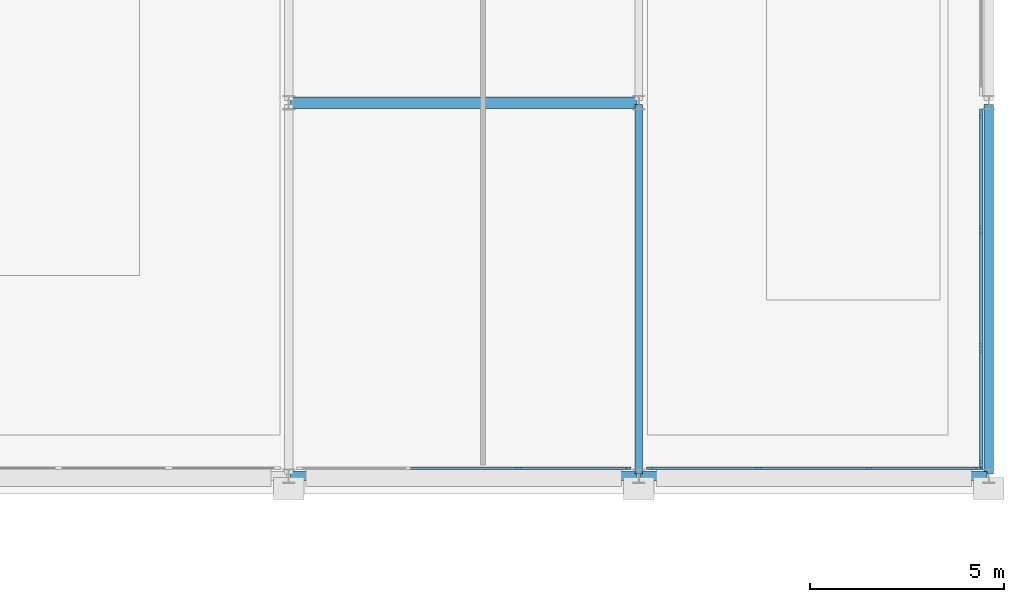
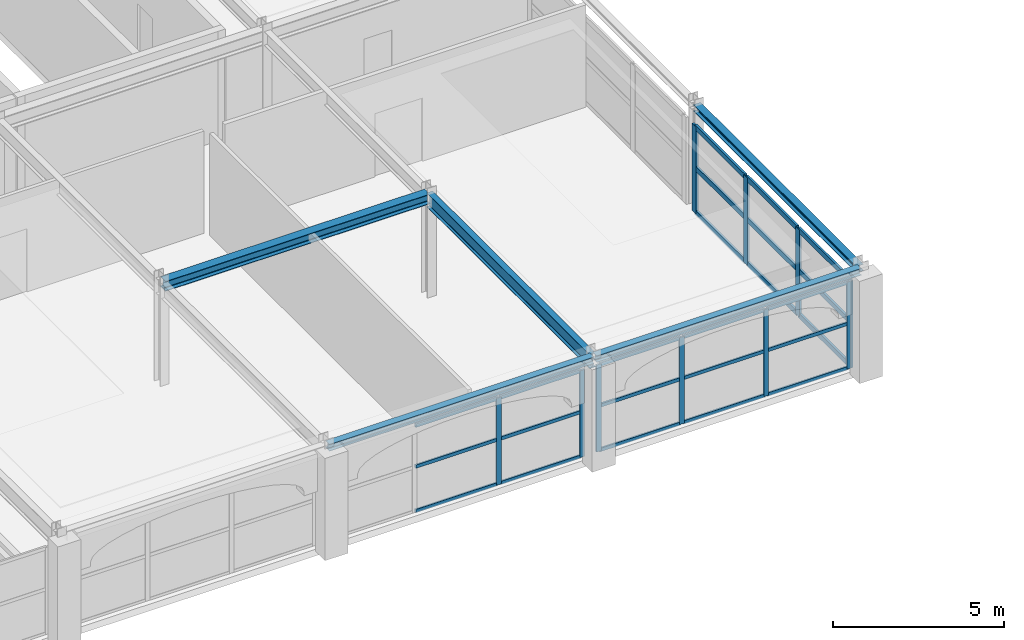
# One storey, part 13 of 25: 34 members, 5 beams, 3 elements without a shape of their own.
"""IFC4 building model written with IfcOpenShell, lengths in metres."""

from ifc_helpers import new_model, si_unit, direction, frame, origin, origin_2d, place, context, subcontext, project, spatial, rectangle, i_section, extrude, material, layer, layer_set, material_profile, profile_set, type_object, element, aggregate, save


model = new_model("IFC4")

# Units and contexts
model_context = context("Model", 3, precision=1e-05, world=origin(), true_north=direction((0.0, 1.0)))
body_context = subcontext(model_context, "Body", "Model", "MODEL_VIEW")
ifc_project = project(units=[si_unit("LENGTHUNIT", "METRE"), si_unit("AREAUNIT", "SQUARE_METRE"), si_unit("VOLUMEUNIT", "CUBIC_METRE"), si_unit("PLANEANGLEUNIT", "RADIAN"), si_unit("MASSUNIT", "GRAM", prefix="KILO")], contexts=[model_context])

# Site, building, storey
site_placement = place(None, origin())
site = spatial("IfcSite", under=ifc_project, at=site_placement, CompositionType="ELEMENT")
building_placement = place(site_placement, origin())
building = spatial("IfcBuilding", under=site, at=building_placement, Name="Myrtia Square Station", CompositionType="ELEMENT")
storey_placement = place(building_placement, frame((0.0, 0.0, 18.89990234375)))
storey = spatial("IfcBuildingStorey", under=building, at=storey_placement, Name="L04", CompositionType="ELEMENT", Elevation=18.89990234375)

# Beams
ifc_material_1 = material(Name="Steel S355", Category="steel")
ifc_material_profile_1 = material_profile(ifc_material_1, i_section(OverallWidth=0.300048828125, OverallDepth=0.35009765625, WebThickness=0.010009765625, FlangeThickness=0.017578125, FilletRadius=0.027099609375, at=origin_2d()), Name="HEA 360")
ifc_profile_set_1 = profile_set([ifc_material_profile_1], Name="Steel S355")
beam_type_1 = type_object("IfcBeamType", Name="BM-HEA360", PredefinedType="BEAM", material=ifc_profile_set_1)
beam_1_placement = place(storey_placement, frame((171.050048828125, 96.0, 3.47998046875), z_axis=(1.0, 0.0, 0.0), x_axis=(0.0, 1.0, 0.0)))
element("IfcBeam", 1, at=beam_1_placement, inside=storey, type_object=beam_type_1, Name="Structural girder BMX-L04-0879", PredefinedType="BEAM", context=body_context, shape_type="SweptSolid", body=[
    extrude(i_section(OverallWidth=0.300048828125, OverallDepth=0.35009765625, WebThickness=0.010009765625, FlangeThickness=0.017578125, FilletRadius=0.027099609375, at=origin_2d()), origin(), (0.0, 0.0, 1.0), 8.89990234375),
])
ifc_material_profile_2 = material_profile(ifc_material_1, i_section(OverallWidth=0.199951171875, OverallDepth=0.5, WebThickness=0.01025390625, FlangeThickness=0.01611328125, FilletRadius=0.02099609375, at=origin_2d()), Name="IPE 500")
ifc_profile_set_2 = profile_set([ifc_material_profile_2], Name="Steel S355")
beam_type_2 = type_object("IfcBeamType", Name="BM-IPE500", PredefinedType="BEAM", material=ifc_profile_set_2)
beam_2_placement = place(storey_placement, frame((180.0, 86.449951171875, 3.405029296875), z_axis=(0.0, 1.0, 0.0), x_axis=(-1.0, 0.0, 0.0)))
element("IfcBeam", 2, at=beam_2_placement, inside=storey, type_object=beam_type_2, Name="Structural girder BMY-L04-0917", PredefinedType="BEAM", context=body_context, shape_type="SweptSolid", body=[
    extrude(i_section(OverallWidth=0.199951171875, OverallDepth=0.5, WebThickness=0.01025390625, FlangeThickness=0.01611328125, FilletRadius=0.02099609375, at=origin_2d()), origin(), (0.0, 0.0, 1.0), 9.5),
])

# Curtain wall, members
ifc_material_2 = material(Name="Dark bronze anodised aluminium", Category="aluminium")
ifc_layer_1 = layer(ifc_material_2, 0.159912109375, Name="Dark bronze anodised aluminium")
ifc_layer_set_1 = layer_set([ifc_layer_1], Name="Dark bronze anodised aluminium")
curtain_wall_type_1 = type_object("IfcCurtainWallType", Name="CW-TYPE-43-850x310", PredefinedType="USERDEFINED", material=ifc_layer_set_1)
curtain_wall_1_placement = place(storey_placement, origin())
curtain_wall_1 = element("IfcCurtainWall", 3, at=curtain_wall_1_placement, inside=storey, type_object=curtain_wall_type_1, Name="Concourse curtain wall CW-L04-145", ObjectType="CONCOURSE CURTAIN WALL", PredefinedType="USERDEFINED")
ifc_material_profile_3 = material_profile(ifc_material_2, rectangle(XDim=0.06005859375, YDim=0.159912109375, at=origin_2d()), Name="ALU-M 60x160")
ifc_profile_set_3 = profile_set([ifc_material_profile_3], Name="Dark bronze anodised aluminium")
member_type_1 = type_object("IfcMemberType", Name="CWM-60x160", PredefinedType="MULLION", material=ifc_profile_set_3)
member_1_placement = place(storey_placement, frame((176.916748046875, 86.60009765625, 0.0), z_axis=(0.0, 0.0, 1.0), x_axis=(0.0, 1.0, 0.0)))
member_1 = element("IfcMember", 4, at=member_1_placement, type_object=member_type_1, Name="CW-145 mullion 3", PredefinedType="MULLION", context=body_context, shape_type="SweptSolid", body=[
    extrude(rectangle(XDim=0.06005859375, YDim=0.159912109375, at=origin_2d()), origin(), (0.0, 0.0, 1.0), 3.10009765625),
])
member_2_placement = place(storey_placement, frame((179.719970703125, 86.60009765625, 0.0), z_axis=(0.0, 0.0, 1.0), x_axis=(0.0, 1.0, 0.0)))
member_2 = element("IfcMember", 5, at=member_2_placement, type_object=member_type_1, Name="CW-145 mullion 4", PredefinedType="MULLION", context=body_context, shape_type="SweptSolid", body=[
    extrude(rectangle(XDim=0.06005859375, YDim=0.159912109375, at=origin_2d()), origin(), (0.0, 0.0, 1.0), 3.10009765625),
])

curtain_wall_2_placement = place(storey_placement, origin())
curtain_wall_2 = element("IfcCurtainWall", 6, at=curtain_wall_2_placement, inside=storey, type_object=curtain_wall_type_1, Name="Concourse curtain wall CW-L04-150", ObjectType="CONCOURSE CURTAIN WALL", PredefinedType="USERDEFINED")
member_3_placement = place(storey_placement, frame((180.280029296875, 86.60009765625, 0.0), z_axis=(0.0, 0.0, 1.0), x_axis=(0.0, 1.0, 0.0)))
member_3 = element("IfcMember", 7, at=member_3_placement, type_object=member_type_1, Name="CW-150 mullion 1", PredefinedType="MULLION", context=body_context, shape_type="SweptSolid", body=[
    extrude(rectangle(XDim=0.06005859375, YDim=0.159912109375, at=origin_2d()), origin(), (0.0, 0.0, 1.0), 3.10009765625),
])
member_4_placement = place(storey_placement, frame((183.083251953125, 86.60009765625, 0.0), z_axis=(0.0, 0.0, 1.0), x_axis=(0.0, 1.0, 0.0)))
member_4 = element("IfcMember", 8, at=member_4_placement, type_object=member_type_1, Name="CW-150 mullion 2", PredefinedType="MULLION", context=body_context, shape_type="SweptSolid", body=[
    extrude(rectangle(XDim=0.06005859375, YDim=0.159912109375, at=origin_2d()), origin(), (0.0, 0.0, 1.0), 3.10009765625),
])
member_5_placement = place(storey_placement, frame((185.916748046875, 86.60009765625, 0.0), z_axis=(0.0, 0.0, 1.0), x_axis=(0.0, 1.0, 0.0)))
member_5 = element("IfcMember", 9, at=member_5_placement, type_object=member_type_1, Name="CW-150 mullion 3", PredefinedType="MULLION", context=body_context, shape_type="SweptSolid", body=[
    extrude(rectangle(XDim=0.06005859375, YDim=0.159912109375, at=origin_2d()), origin(), (0.0, 0.0, 1.0), 3.10009765625),
])
member_6_placement = place(storey_placement, frame((188.719970703125, 86.60009765625, 0.0), z_axis=(0.0, 0.0, 1.0), x_axis=(0.0, 1.0, 0.0)))
member_6 = element("IfcMember", 10, at=member_6_placement, type_object=member_type_1, Name="CW-150 mullion 4", PredefinedType="MULLION", context=body_context, shape_type="SweptSolid", body=[
    extrude(rectangle(XDim=0.06005859375, YDim=0.159912109375, at=origin_2d()), origin(), (0.0, 0.0, 1.0), 3.10009765625),
])

ifc_layer_2 = layer(ifc_material_2, 0.159912109375, Name="Dark bronze anodised aluminium")
ifc_layer_set_2 = layer_set([ifc_layer_2], Name="Dark bronze anodised aluminium")
curtain_wall_type_2 = type_object("IfcCurtainWallType", Name="CW-TYPE-46-910x310", PredefinedType="USERDEFINED", material=ifc_layer_set_2)
curtain_wall_3_placement = place(storey_placement, origin())
curtain_wall_3 = element("IfcCurtainWall", 11, at=curtain_wall_3_placement, inside=storey, type_object=curtain_wall_type_2, Name="Concourse curtain wall CW-L04-151", ObjectType="CONCOURSE CURTAIN WALL", PredefinedType="USERDEFINED")
ifc_material_profile_4 = material_profile(ifc_material_2, rectangle(XDim=0.074951171875, YDim=0.239990234375, at=origin_2d()), Name="ALU-M 75x240")
ifc_profile_set_4 = profile_set([ifc_material_profile_4], Name="Dark bronze anodised aluminium")
member_type_2 = type_object("IfcMemberType", Name="CWM-75x240", PredefinedType="MULLION", material=ifc_profile_set_4)
member_7_placement = place(storey_placement, frame((188.800048828125, 86.6875, 0.0), z_axis=(0.0, 0.0, 1.0), x_axis=(-1.0, 0.0, 0.0)))
member_7 = element("IfcMember", 12, at=member_7_placement, type_object=member_type_2, Name="CW-151 mullion 1", PredefinedType="MULLION", context=body_context, shape_type="SweptSolid", body=[
    extrude(rectangle(XDim=0.074951171875, YDim=0.239990234375, at=origin_2d()), origin(), (0.0, 0.0, 1.0), 3.10009765625),
])
member_8_placement = place(storey_placement, frame((188.800048828125, 89.683349609375, 0.0), z_axis=(0.0, 0.0, 1.0), x_axis=(-1.0, 0.0, 0.0)))
member_8 = element("IfcMember", 13, at=member_8_placement, type_object=member_type_2, Name="CW-151 mullion 2", PredefinedType="MULLION", context=body_context, shape_type="SweptSolid", body=[
    extrude(rectangle(XDim=0.074951171875, YDim=0.239990234375, at=origin_2d()), origin(), (0.0, 0.0, 1.0), 3.10009765625),
])
member_9_placement = place(storey_placement, frame((188.800048828125, 92.716552734375, 0.0), z_axis=(0.0, 0.0, 1.0), x_axis=(-1.0, 0.0, 0.0)))
member_9 = element("IfcMember", 14, at=member_9_placement, type_object=member_type_2, Name="CW-151 mullion 3", PredefinedType="MULLION", context=body_context, shape_type="SweptSolid", body=[
    extrude(rectangle(XDim=0.074951171875, YDim=0.239990234375, at=origin_2d()), origin(), (0.0, 0.0, 1.0), 3.10009765625),
])
member_10_placement = place(storey_placement, frame((188.800048828125, 95.71240234375, 0.0), z_axis=(0.0, 0.0, 1.0), x_axis=(-1.0, 0.0, 0.0)))
member_10 = element("IfcMember", 15, at=member_10_placement, type_object=member_type_2, Name="CW-151 mullion 4", PredefinedType="MULLION", context=body_context, shape_type="SweptSolid", body=[
    extrude(rectangle(XDim=0.074951171875, YDim=0.239990234375, at=origin_2d()), origin(), (0.0, 0.0, 1.0), 3.10009765625),
])

# Member
ifc_material_profile_5 = material_profile(ifc_material_2, rectangle(XDim=0.06005859375, YDim=0.1201171875, at=origin_2d()), Name="ALU-T 60x120")
ifc_profile_set_5 = profile_set([ifc_material_profile_5], Name="Dark bronze anodised aluminium")
member_type_3 = type_object("IfcMemberType", Name="CWT-60x120", PredefinedType="USERDEFINED", material=ifc_profile_set_5)
member_11_placement = place(storey_placement, frame((174.11328125, 86.60009765625, 0.030029296875), z_axis=(1.0, 0.0, 0.0), x_axis=(0.0, 1.0, 0.0)))
member_11 = element("IfcMember", 16, at=member_11_placement, type_object=member_type_3, Name="CW-145 transom 2.1", ObjectType="TRANSOM", PredefinedType="USERDEFINED", context=body_context, shape_type="SweptSolid", body=[
    extrude(rectangle(XDim=0.06005859375, YDim=0.1201171875, at=origin_2d()), origin(), (0.0, 0.0, 1.0), 2.7734375),
])

member_12_placement = place(storey_placement, frame((174.11328125, 86.60009765625, 1.612060546875), z_axis=(1.0, 0.0, 0.0), x_axis=(0.0, 1.0, 0.0)))
member_12 = element("IfcMember", 17, at=member_12_placement, type_object=member_type_3, Name="CW-145 transom 2.2", ObjectType="TRANSOM", PredefinedType="USERDEFINED", context=body_context, shape_type="SweptSolid", body=[
    extrude(rectangle(XDim=0.06005859375, YDim=0.1201171875, at=origin_2d()), origin(), (0.0, 0.0, 1.0), 2.7734375),
])

member_13_placement = place(storey_placement, frame((174.11328125, 86.60009765625, 3.070068359375), z_axis=(1.0, 0.0, 0.0), x_axis=(0.0, 1.0, 0.0)))
member_13 = element("IfcMember", 18, at=member_13_placement, type_object=member_type_3, Name="CW-145 transom 2.3", ObjectType="TRANSOM", PredefinedType="USERDEFINED", context=body_context, shape_type="SweptSolid", body=[
    extrude(rectangle(XDim=0.06005859375, YDim=0.1201171875, at=origin_2d()), origin(), (0.0, 0.0, 1.0), 2.7734375),
])

member_14_placement = place(storey_placement, frame((176.94677734375, 86.60009765625, 0.030029296875), z_axis=(1.0, 0.0, 0.0), x_axis=(0.0, 1.0, 0.0)))
member_14 = element("IfcMember", 19, at=member_14_placement, type_object=member_type_3, Name="CW-145 transom 3.1", ObjectType="TRANSOM", PredefinedType="USERDEFINED", context=body_context, shape_type="SweptSolid", body=[
    extrude(rectangle(XDim=0.06005859375, YDim=0.1201171875, at=origin_2d()), origin(), (0.0, 0.0, 1.0), 2.7431640625),
])

member_15_placement = place(storey_placement, frame((176.94677734375, 86.60009765625, 1.612060546875), z_axis=(1.0, 0.0, 0.0), x_axis=(0.0, 1.0, 0.0)))
member_15 = element("IfcMember", 20, at=member_15_placement, type_object=member_type_3, Name="CW-145 transom 3.2", ObjectType="TRANSOM", PredefinedType="USERDEFINED", context=body_context, shape_type="SweptSolid", body=[
    extrude(rectangle(XDim=0.06005859375, YDim=0.1201171875, at=origin_2d()), origin(), (0.0, 0.0, 1.0), 2.7431640625),
])

member_16_placement = place(storey_placement, frame((176.94677734375, 86.60009765625, 3.070068359375), z_axis=(1.0, 0.0, 0.0), x_axis=(0.0, 1.0, 0.0)))
member_16 = element("IfcMember", 21, at=member_16_placement, type_object=member_type_3, Name="CW-145 transom 3.3", ObjectType="TRANSOM", PredefinedType="USERDEFINED", context=body_context, shape_type="SweptSolid", body=[
    extrude(rectangle(XDim=0.06005859375, YDim=0.1201171875, at=origin_2d()), origin(), (0.0, 0.0, 1.0), 2.7431640625),
])

aggregate(curtain_wall_1, [member_1, member_2, member_11, member_12, member_13, member_14, member_15, member_16])

member_17_placement = place(storey_placement, frame((180.31005859375, 86.60009765625, 0.030029296875), z_axis=(1.0, 0.0, 0.0), x_axis=(0.0, 1.0, 0.0)))
member_17 = element("IfcMember", 22, at=member_17_placement, type_object=member_type_3, Name="CW-150 transom 1.1", ObjectType="TRANSOM", PredefinedType="USERDEFINED", context=body_context, shape_type="SweptSolid", body=[
    extrude(rectangle(XDim=0.06005859375, YDim=0.1201171875, at=origin_2d()), origin(), (0.0, 0.0, 1.0), 2.7431640625),
])

member_18_placement = place(storey_placement, frame((180.31005859375, 86.60009765625, 1.612060546875), z_axis=(1.0, 0.0, 0.0), x_axis=(0.0, 1.0, 0.0)))
member_18 = element("IfcMember", 23, at=member_18_placement, type_object=member_type_3, Name="CW-150 transom 1.2", ObjectType="TRANSOM", PredefinedType="USERDEFINED", context=body_context, shape_type="SweptSolid", body=[
    extrude(rectangle(XDim=0.06005859375, YDim=0.1201171875, at=origin_2d()), origin(), (0.0, 0.0, 1.0), 2.7431640625),
])

member_19_placement = place(storey_placement, frame((180.31005859375, 86.60009765625, 3.070068359375), z_axis=(1.0, 0.0, 0.0), x_axis=(0.0, 1.0, 0.0)))
member_19 = element("IfcMember", 24, at=member_19_placement, type_object=member_type_3, Name="CW-150 transom 1.3", ObjectType="TRANSOM", PredefinedType="USERDEFINED", context=body_context, shape_type="SweptSolid", body=[
    extrude(rectangle(XDim=0.06005859375, YDim=0.1201171875, at=origin_2d()), origin(), (0.0, 0.0, 1.0), 2.7431640625),
])

member_20_placement = place(storey_placement, frame((183.11328125, 86.60009765625, 0.030029296875), z_axis=(1.0, 0.0, 0.0), x_axis=(0.0, 1.0, 0.0)))
member_20 = element("IfcMember", 25, at=member_20_placement, type_object=member_type_3, Name="CW-150 transom 2.1", ObjectType="TRANSOM", PredefinedType="USERDEFINED", context=body_context, shape_type="SweptSolid", body=[
    extrude(rectangle(XDim=0.06005859375, YDim=0.1201171875, at=origin_2d()), origin(), (0.0, 0.0, 1.0), 2.7734375),
])

member_21_placement = place(storey_placement, frame((183.11328125, 86.60009765625, 1.612060546875), z_axis=(1.0, 0.0, 0.0), x_axis=(0.0, 1.0, 0.0)))
member_21 = element("IfcMember", 26, at=member_21_placement, type_object=member_type_3, Name="CW-150 transom 2.2", ObjectType="TRANSOM", PredefinedType="USERDEFINED", context=body_context, shape_type="SweptSolid", body=[
    extrude(rectangle(XDim=0.06005859375, YDim=0.1201171875, at=origin_2d()), origin(), (0.0, 0.0, 1.0), 2.7734375),
])

member_22_placement = place(storey_placement, frame((183.11328125, 86.60009765625, 3.070068359375), z_axis=(1.0, 0.0, 0.0), x_axis=(0.0, 1.0, 0.0)))
member_22 = element("IfcMember", 27, at=member_22_placement, type_object=member_type_3, Name="CW-150 transom 2.3", ObjectType="TRANSOM", PredefinedType="USERDEFINED", context=body_context, shape_type="SweptSolid", body=[
    extrude(rectangle(XDim=0.06005859375, YDim=0.1201171875, at=origin_2d()), origin(), (0.0, 0.0, 1.0), 2.7734375),
])

member_23_placement = place(storey_placement, frame((185.94677734375, 86.60009765625, 0.030029296875), z_axis=(1.0, 0.0, 0.0), x_axis=(0.0, 1.0, 0.0)))
member_23 = element("IfcMember", 28, at=member_23_placement, type_object=member_type_3, Name="CW-150 transom 3.1", ObjectType="TRANSOM", PredefinedType="USERDEFINED", context=body_context, shape_type="SweptSolid", body=[
    extrude(rectangle(XDim=0.06005859375, YDim=0.1201171875, at=origin_2d()), origin(), (0.0, 0.0, 1.0), 2.7431640625),
])

member_24_placement = place(storey_placement, frame((185.94677734375, 86.60009765625, 1.612060546875), z_axis=(1.0, 0.0, 0.0), x_axis=(0.0, 1.0, 0.0)))
member_24 = element("IfcMember", 29, at=member_24_placement, type_object=member_type_3, Name="CW-150 transom 3.2", ObjectType="TRANSOM", PredefinedType="USERDEFINED", context=body_context, shape_type="SweptSolid", body=[
    extrude(rectangle(XDim=0.06005859375, YDim=0.1201171875, at=origin_2d()), origin(), (0.0, 0.0, 1.0), 2.7431640625),
])

member_25_placement = place(storey_placement, frame((185.94677734375, 86.60009765625, 3.070068359375), z_axis=(1.0, 0.0, 0.0), x_axis=(0.0, 1.0, 0.0)))
member_25 = element("IfcMember", 30, at=member_25_placement, type_object=member_type_3, Name="CW-150 transom 3.3", ObjectType="TRANSOM", PredefinedType="USERDEFINED", context=body_context, shape_type="SweptSolid", body=[
    extrude(rectangle(XDim=0.06005859375, YDim=0.1201171875, at=origin_2d()), origin(), (0.0, 0.0, 1.0), 2.7431640625),
])

aggregate(curtain_wall_2, [member_3, member_4, member_5, member_6, member_17, member_18, member_19, member_20, member_21, member_22, member_23, member_24, member_25])

ifc_material_profile_6 = material_profile(ifc_material_2, rectangle(XDim=0.074951171875, YDim=0.179931640625, at=origin_2d()), Name="ALU-T 75x180")
ifc_profile_set_6 = profile_set([ifc_material_profile_6], Name="Dark bronze anodised aluminium")
member_type_4 = type_object("IfcMemberType", Name="CWT-75x180", PredefinedType="USERDEFINED", material=ifc_profile_set_6)
member_26_placement = place(storey_placement, frame((188.800048828125, 86.72509765625, 0.03759765625), z_axis=(0.0, 1.0, 0.0), x_axis=(-1.0, 0.0, 0.0)))
member_26 = element("IfcMember", 31, at=member_26_placement, type_object=member_type_4, Name="CW-151 transom 1.1", ObjectType="TRANSOM", PredefinedType="USERDEFINED", context=body_context, shape_type="SweptSolid", body=[
    extrude(rectangle(XDim=0.074951171875, YDim=0.179931640625, at=origin_2d()), origin(), (0.0, 0.0, 1.0), 2.920654296875),
])

member_27_placement = place(storey_placement, frame((188.800048828125, 86.72509765625, 1.612060546875), z_axis=(0.0, 1.0, 0.0), x_axis=(-1.0, 0.0, 0.0)))
member_27 = element("IfcMember", 32, at=member_27_placement, type_object=member_type_4, Name="CW-151 transom 1.2", ObjectType="TRANSOM", PredefinedType="USERDEFINED", context=body_context, shape_type="SweptSolid", body=[
    extrude(rectangle(XDim=0.074951171875, YDim=0.179931640625, at=origin_2d()), origin(), (0.0, 0.0, 1.0), 2.920654296875),
])

member_28_placement = place(storey_placement, frame((188.800048828125, 86.72509765625, 3.0625), z_axis=(0.0, 1.0, 0.0), x_axis=(-1.0, 0.0, 0.0)))
member_28 = element("IfcMember", 33, at=member_28_placement, type_object=member_type_4, Name="CW-151 transom 1.3", ObjectType="TRANSOM", PredefinedType="USERDEFINED", context=body_context, shape_type="SweptSolid", body=[
    extrude(rectangle(XDim=0.074951171875, YDim=0.179931640625, at=origin_2d()), origin(), (0.0, 0.0, 1.0), 2.920654296875),
])

member_29_placement = place(storey_placement, frame((188.800048828125, 89.720947265625, 0.03759765625), z_axis=(0.0, 1.0, 0.0), x_axis=(-1.0, 0.0, 0.0)))
member_29 = element("IfcMember", 34, at=member_29_placement, type_object=member_type_4, Name="CW-151 transom 2.1", ObjectType="TRANSOM", PredefinedType="USERDEFINED", context=body_context, shape_type="SweptSolid", body=[
    extrude(rectangle(XDim=0.074951171875, YDim=0.179931640625, at=origin_2d()), origin(), (0.0, 0.0, 1.0), 2.958251953125),
])

member_30_placement = place(storey_placement, frame((188.800048828125, 89.720947265625, 1.612060546875), z_axis=(0.0, 1.0, 0.0), x_axis=(-1.0, 0.0, 0.0)))
member_30 = element("IfcMember", 35, at=member_30_placement, type_object=member_type_4, Name="CW-151 transom 2.2", ObjectType="TRANSOM", PredefinedType="USERDEFINED", context=body_context, shape_type="SweptSolid", body=[
    extrude(rectangle(XDim=0.074951171875, YDim=0.179931640625, at=origin_2d()), origin(), (0.0, 0.0, 1.0), 2.958251953125),
])

member_31_placement = place(storey_placement, frame((188.800048828125, 89.720947265625, 3.0625), z_axis=(0.0, 1.0, 0.0), x_axis=(-1.0, 0.0, 0.0)))
member_31 = element("IfcMember", 36, at=member_31_placement, type_object=member_type_4, Name="CW-151 transom 2.3", ObjectType="TRANSOM", PredefinedType="USERDEFINED", context=body_context, shape_type="SweptSolid", body=[
    extrude(rectangle(XDim=0.074951171875, YDim=0.179931640625, at=origin_2d()), origin(), (0.0, 0.0, 1.0), 2.958251953125),
])

member_32_placement = place(storey_placement, frame((188.800048828125, 92.754150390625, 0.03759765625), z_axis=(0.0, 1.0, 0.0), x_axis=(-1.0, 0.0, 0.0)))
member_32 = element("IfcMember", 37, at=member_32_placement, type_object=member_type_4, Name="CW-151 transom 3.1", ObjectType="TRANSOM", PredefinedType="USERDEFINED", context=body_context, shape_type="SweptSolid", body=[
    extrude(rectangle(XDim=0.074951171875, YDim=0.179931640625, at=origin_2d()), origin(), (0.0, 0.0, 1.0), 2.9208984375),
])

member_33_placement = place(storey_placement, frame((188.800048828125, 92.754150390625, 1.612060546875), z_axis=(0.0, 1.0, 0.0), x_axis=(-1.0, 0.0, 0.0)))
member_33 = element("IfcMember", 38, at=member_33_placement, type_object=member_type_4, Name="CW-151 transom 3.2", ObjectType="TRANSOM", PredefinedType="USERDEFINED", context=body_context, shape_type="SweptSolid", body=[
    extrude(rectangle(XDim=0.074951171875, YDim=0.179931640625, at=origin_2d()), origin(), (0.0, 0.0, 1.0), 2.9208984375),
])

member_34_placement = place(storey_placement, frame((188.800048828125, 92.754150390625, 3.0625), z_axis=(0.0, 1.0, 0.0), x_axis=(-1.0, 0.0, 0.0)))
member_34 = element("IfcMember", 39, at=member_34_placement, type_object=member_type_4, Name="CW-151 transom 3.3", ObjectType="TRANSOM", PredefinedType="USERDEFINED", context=body_context, shape_type="SweptSolid", body=[
    extrude(rectangle(XDim=0.074951171875, YDim=0.179931640625, at=origin_2d()), origin(), (0.0, 0.0, 1.0), 2.9208984375),
])

aggregate(curtain_wall_3, [member_7, member_8, member_9, member_10, member_26, member_27, member_28, member_29, member_30, member_31, member_32, member_33, member_34])

# Beams
ifc_material_profile_7 = material_profile(ifc_material_1, i_section(OverallWidth=0.239990234375, OverallDepth=0.239990234375, WebThickness=0.010009765625, FlangeThickness=0.01708984375, FilletRadius=0.02099609375, at=origin_2d()), Name="HEB 240")
ifc_profile_set_7 = profile_set([ifc_material_profile_7], Name="Steel S355")
beam_type_3 = type_object("IfcBeamType", Name="SPN-HEB240", PredefinedType="SPANDREL", material=ifc_profile_set_7)
for number, where, z_axis, x_axis, name in (
    (40, (171.050048828125, 86.39990234375, 3.53515625), (1.0, 0.0, 0.0), (0.0, 1.0, 0.0), "Structural girder SPN-L04-0263"),
    (41, (180.050048828125, 86.39990234375, 3.53515625), (1.0, 0.0, 0.0), (0.0, 1.0, 0.0), "Structural girder SPN-L04-0264"),
):
    element("IfcBeam", number, at=place(storey_placement, frame(where, z_axis=z_axis, x_axis=x_axis)), inside=storey, type_object=beam_type_3, Name=name, PredefinedType="SPANDREL", context=body_context, shape_type="SweptSolid", body=[
        extrude(i_section(OverallWidth=0.239990234375, OverallDepth=0.239990234375, WebThickness=0.010009765625, FlangeThickness=0.01708984375, FilletRadius=0.02099609375, at=origin_2d()), origin(), (0.0, 0.0, 1.0), 8.89990234375),
    ])
beam_3_placement = place(storey_placement, frame((189.0, 86.449951171875, 3.53515625), z_axis=(0.0, 1.0, 0.0), x_axis=(-1.0, 0.0, 0.0)))
element("IfcBeam", 42, at=beam_3_placement, inside=storey, type_object=beam_type_3, Name="Structural girder SPNY-L04-0272", PredefinedType="SPANDREL", context=body_context, shape_type="SweptSolid", body=[
    extrude(i_section(OverallWidth=0.239990234375, OverallDepth=0.239990234375, WebThickness=0.010009765625, FlangeThickness=0.01708984375, FilletRadius=0.02099609375, at=origin_2d()), origin(), (0.0, 0.0, 1.0), 9.5),
])

save(model, "model.ifc")
